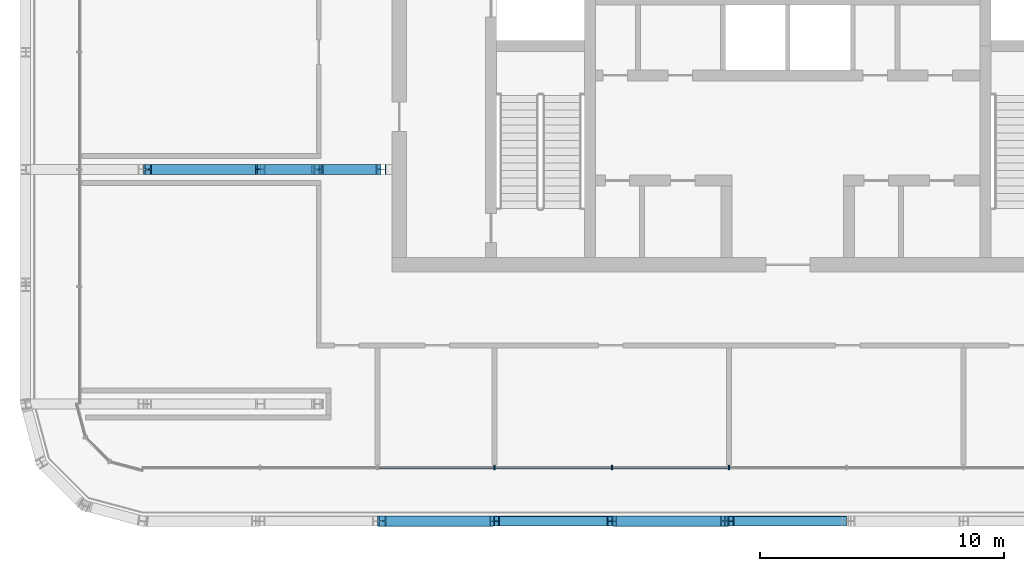
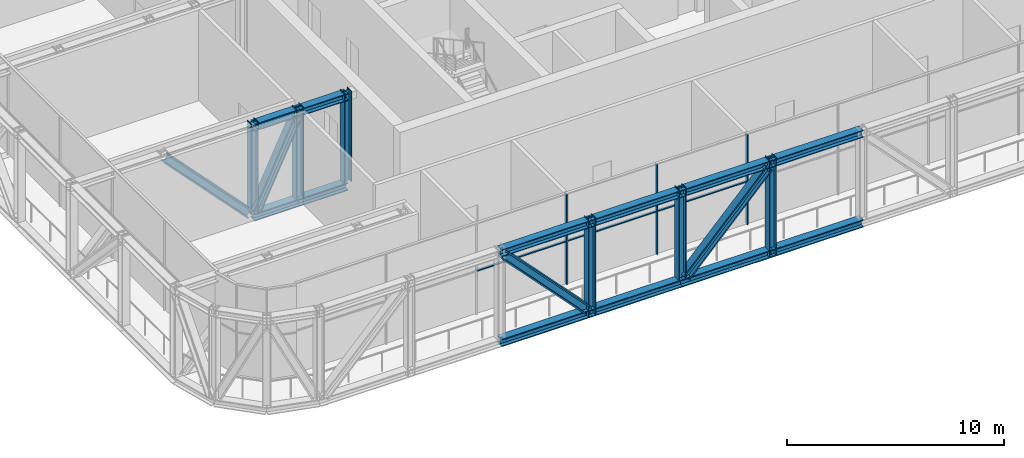
# One storey, part 2 of 26: 28 members, 1 element without a shape of its own.
"""IFC4 building model written with IfcOpenShell, lengths in metres."""

import ifcopenshell
import ifcopenshell.guid

model = None  # the IFC model being written
_history = None  # IfcOwnerHistory: only IFC2X3 demands one
_inside = {}  # id of a spatial element -> (the spatial element, [elements in it])
_under = {}  # id of a project, library or spatial element -> (it, [spatial elements below it])
_declared = {}  # id of a project -> (the project, [libraries it declares])
_typed = {}  # id of a type object -> (the type object, [elements of that type])
_made_of = {}  # id of a material, layer set ... -> (it, [elements and type objects made of it])


def new_model(schema):
    """Start an empty IFC model of exactly this schema.

    Asked for "IFC4X3", IfcOpenShell would pick the latest addendum, in which some entities
    have other attributes; the version numbers below select the first issue.
    IFC2X3 requires an IfcOwnerHistory on every rooted entity: one is made here for all.
    """
    global model, _history
    if schema == "IFC4X3":
        model = ifcopenshell.file(schema_version=(4, 3, 0, 0))
    else:
        model = ifcopenshell.file(schema=schema)
    _inside.clear()
    _under.clear()
    _declared.clear()
    _typed.clear()
    _made_of.clear()
    _history = None
    if model.schema == "IFC2X3":
        org = make("IfcOrganization", Name="unknown")
        user = make(
            "IfcPersonAndOrganization",
            ThePerson=make("IfcPerson", FamilyName="unknown"),
            TheOrganization=org,
        )
        app = make(
            "IfcApplication",
            ApplicationDeveloper=org,
            Version="unknown",
            ApplicationFullName="unknown",
            ApplicationIdentifier="unknown",
        )
        _history = make(
            "IfcOwnerHistory",
            OwningUser=user,
            OwningApplication=app,
            ChangeAction="ADDED",
            CreationDate=0,
        )
    return model


def make(cls, **values):
    """One entity of the class cls with the attributes given. An attribute that is None is left unset."""
    return model.create_entity(
        cls, **{name: value for name, value in values.items() if value is not None}
    )


def rooted(cls, **values):
    """An entity with a GlobalId (a new one), such as an element, a storey or a relation."""
    return make(cls, GlobalId=ifcopenshell.guid.new(), OwnerHistory=_history, **values)


def si_unit(unit_type, name, prefix=None):
    """IfcSIUnit, for example si_unit("LENGTHUNIT", "METRE", prefix="MILLI")."""
    return make("IfcSIUnit", UnitType=unit_type, Prefix=prefix, Name=name)


def assignment(units):
    """IfcUnitAssignment: the units of a project."""
    return None if units is None else make("IfcUnitAssignment", Units=units)


def point(xyz):
    """IfcCartesianPoint."""
    return None if xyz is None else make("IfcCartesianPoint", Coordinates=xyz)


def direction(xyz):
    """IfcDirection."""
    return None if xyz is None else make("IfcDirection", DirectionRatios=xyz)


def frame(location, z_axis=None, x_axis=None):
    """IfcAxis2Placement3D, a coordinate frame: its origin and axes. An axis left out is left unset."""
    return make(
        "IfcAxis2Placement3D",
        Location=point(location),
        Axis=direction(z_axis),
        RefDirection=direction(x_axis),
    )


def frame_2d(location, x_axis=None):
    """IfcAxis2Placement2D, a coordinate frame in the plane: its origin and x axis."""
    return make(
        "IfcAxis2Placement2D", Location=point(location), RefDirection=direction(x_axis)
    )


def origin():
    """The frame at (0, 0, 0) with its axes left unset."""
    return frame((0.0, 0.0, 0.0))


def origin_2d():
    """The frame at (0, 0) in the plane with its x axis left unset."""
    return frame_2d((0.0, 0.0))


def place(relative_to, where):
    """IfcLocalPlacement: puts the frame where relative to a parent placement (None: the world)."""
    return make(
        "IfcLocalPlacement", PlacementRelTo=relative_to, RelativePlacement=where
    )


def context(
    kind, dimensions, precision=None, world=None, true_north=None, identifier=None
):
    """IfcGeometricRepresentationContext, for example the 3D "Model" context."""
    return make(
        "IfcGeometricRepresentationContext",
        ContextIdentifier=identifier,
        ContextType=kind,
        CoordinateSpaceDimension=dimensions,
        Precision=precision,
        WorldCoordinateSystem=world,
        TrueNorth=true_north,
    )


def subcontext(parent, identifier, kind, view, scale=None):
    """IfcGeometricRepresentationSubContext, for example "Body" below "Model"."""
    return make(
        "IfcGeometricRepresentationSubContext",
        ContextIdentifier=identifier,
        ContextType=kind,
        ParentContext=parent,
        TargetScale=scale,
        TargetView=view,
    )


def project(units=None, contexts=None):
    """IfcProject with its units and contexts."""
    return rooted(
        "IfcProject",
        Name="project",
        RepresentationContexts=contexts,
        UnitsInContext=assignment(units),
    )


def spatial(cls, under=None, at=None, **own):
    """A site, building, storey or space (cls), placed at a placement, below another one or the project."""
    s = rooted(cls, ObjectPlacement=at, **own)
    if under is not None:
        _under.setdefault(under.id(), (under, []))[1].append(s)
    return s


def profile(cls, at=None, kind="AREA", **sizes):
    """A parametric profile (cls). Its sizes go by their IFC names, for example OverallWidth=200.0."""
    return make(cls, ProfileType=kind, Position=at, **sizes)


def rectangle(**sizes):
    """IfcRectangleProfileDef."""
    return profile("IfcRectangleProfileDef", **sizes)


def i_section(**sizes):
    """IfcIShapeProfileDef."""
    return profile("IfcIShapeProfileDef", **sizes)


def extrude(swept, where, along, depth):
    """IfcExtrudedAreaSolid: the profile swept, set in the frame where, extruded along a direction by depth."""
    return make(
        "IfcExtrudedAreaSolid",
        SweptArea=swept,
        Position=where,
        ExtrudedDirection=direction(along),
        Depth=depth,
    )


def shape(context_of_items, identifier, shape_type, items):
    """IfcShapeRepresentation: the items that make up one representation, for example the "Body"."""
    return make(
        "IfcShapeRepresentation",
        ContextOfItems=context_of_items,
        RepresentationIdentifier=identifier,
        RepresentationType=shape_type,
        Items=items,
    )


def material(Name=None, Category=None):
    """IfcMaterial."""
    return make("IfcMaterial", Name=Name, Category=Category)


def layer(
    of_material, thickness, ventilated=None, Name=None, Category=None, Priority=None
):
    """IfcMaterialLayer: one layer of a wall or slab, of a material (None: an air gap)."""
    return make(
        "IfcMaterialLayer",
        Material=of_material,
        LayerThickness=thickness,
        IsVentilated=ventilated,
        Name=Name,
        Category=Category,
        Priority=Priority,
    )


def layer_set(layers, Name=None):
    """IfcMaterialLayerSet."""
    return make("IfcMaterialLayerSet", MaterialLayers=layers, LayerSetName=Name)


def material_profile(
    of_material, cross_section, Name=None, Category=None, Priority=None
):
    """IfcMaterialProfile: a cross section and its material."""
    return make(
        "IfcMaterialProfile",
        Name=Name,
        Material=of_material,
        Profile=cross_section,
        Priority=Priority,
        Category=Category,
    )


def profile_set(profiles, Name=None, composite=None):
    """IfcMaterialProfileSet."""
    return make(
        "IfcMaterialProfileSet",
        Name=Name,
        MaterialProfiles=profiles,
        CompositeProfile=composite,
    )


def made_of(thing, what):
    """Note that an element or type object is made of a material, layer set ...; save() writes the relation."""
    if what is not None:
        _made_of.setdefault(what.id(), (what, []))[1].append(thing)
    return thing


def type_object(cls, material=None, **own):
    """A type object (cls), such as IfcWallType, which elements share."""
    return made_of(rooted(cls, **own), material)


def element(
    cls,
    number,
    at=None,
    inside=None,
    cuts=None,
    type_object=None,
    material=None,
    context=None,
    identifier="Body",
    shape_type=None,
    held_by="IfcProductDefinitionShape",
    body=None,
    shapes=None,
    **own,
):
    """One element of the class cls, such as IfcWall. Its Tag is "e" and its number.

    at: its placement. inside: the storey or other place that contains it. cuts: it is an
    opening in that element (IfcRelVoidsElement). A single representation is given by context,
    identifier, shape_type and body (its items); several are given by shapes. held_by: the class
    of the entity that holds the representations. save() writes the other relations.
    """
    e = rooted(cls, Tag="e%d" % number, ObjectPlacement=at, **own)
    if body is not None:
        shapes = [shape(context, identifier, shape_type, body)]
    if shapes is not None:
        e.Representation = make(held_by, Representations=shapes)
    if inside is not None:
        _inside.setdefault(inside.id(), (inside, []))[1].append(e)
    if cuts is not None:
        rooted(
            "IfcRelVoidsElement", RelatingBuildingElement=cuts, RelatedOpeningElement=e
        )
    if type_object is not None:
        _typed.setdefault(type_object.id(), (type_object, []))[1].append(e)
    return made_of(e, material)


def aggregate(whole, parts):
    """IfcRelAggregates: a whole, such as a stair, and the parts it consists of."""
    return rooted("IfcRelAggregates", RelatingObject=whole, RelatedObjects=parts)


def save(model, path):
    """Write the relations noted so far, then the file.

    IfcRelAggregates (storeys below a building ...), IfcRelContainedInSpatialStructure (elements
    in a storey), IfcRelDefinesByType, IfcRelAssociatesMaterial and IfcRelDeclares: one each for
    every whole, place, type object, material and project.
    """
    for whole, parts in _under.values():
        aggregate(whole, parts)
    for where, things in _inside.values():
        rooted(
            "IfcRelContainedInSpatialStructure",
            RelatedElements=things,
            RelatingStructure=where,
        )
    for kind, things in _typed.values():
        rooted("IfcRelDefinesByType", RelatedObjects=things, RelatingType=kind)
    for what, things in _made_of.values():
        rooted("IfcRelAssociatesMaterial", RelatedObjects=things, RelatingMaterial=what)
    for by, libraries in _declared.values():
        rooted("IfcRelDeclares", RelatingContext=by, RelatedDefinitions=libraries)
    model.write(path)


model = new_model("IFC4")

# Units and contexts
model_context = context("Model", 3, precision=1e-05, world=origin(), true_north=direction((0.0, 1.0)))
body_context = subcontext(model_context, "Body", "Model", "MODEL_VIEW")
ifc_project = project(units=[si_unit("LENGTHUNIT", "METRE"), si_unit("AREAUNIT", "SQUARE_METRE"), si_unit("VOLUMEUNIT", "CUBIC_METRE"), si_unit("PLANEANGLEUNIT", "RADIAN"), si_unit("MASSUNIT", "GRAM", prefix="KILO")], contexts=[model_context])

# Site, building, storey
site_placement = place(None, origin())
site = spatial("IfcSite", under=ifc_project, at=site_placement, CompositionType="ELEMENT")
building_placement = place(site_placement, origin())
building = spatial("IfcBuilding", under=site, at=building_placement, Name="Madar Terraces", CompositionType="ELEMENT")
storey_placement = place(building_placement, frame((0.0, 0.0, 233.300048828125)))
storey = spatial("IfcBuildingStorey", under=building, at=storey_placement, Name="L61", CompositionType="ELEMENT", Elevation=233.300048828125)

# Members
ifc_material_1 = material(Name="Steel ASTM A992 Grade 50", Category="steel")
ifc_material_profile_1 = material_profile(ifc_material_1, i_section(OverallWidth=0.408935546875, OverallDepth=0.424072265625, WebThickness=0.03271484375, FlangeThickness=0.052490234375, at=origin_2d()), Name="W14x283")
ifc_profile_set_1 = profile_set([ifc_material_profile_1], Name="Steel ASTM A992 Grade 50")
member_type_1 = type_object("IfcMemberType", Name="BC8 W14x283", PredefinedType="CHORD", material=ifc_profile_set_1)
for number, where, z_axis, x_axis, name in (
    (1, (14.39990234375, 4.800048828125, -0.2080078125), (1.0, 0.0, 0.0), (0.0, 1.0, 0.0), "Exoskeleton truss ring bottom chord BC8"),
    (2, (19.199951171875, 4.800048828125, -0.2080078125), (1.0, 0.0, 0.0), (0.0, 1.0, 0.0), "Exoskeleton truss ring bottom chord BC8"),
    (3, (24.0, 4.800048828125, -0.2080078125), (1.0, 0.0, 0.0), (0.0, 1.0, 0.0), "Exoskeleton truss ring bottom chord BC8"),
    (4, (28.800048828125, 4.800048828125, -0.2080078125), (1.0, 0.0, 0.0), (0.0, 1.0, 0.0), "Exoskeleton truss ring bottom chord BC8"),
):
    element("IfcMember", number, at=place(storey_placement, frame(where, z_axis=z_axis, x_axis=x_axis)), inside=storey, type_object=member_type_1, Name=name, PredefinedType="CHORD", context=body_context, shape_type="SweptSolid", body=[
        extrude(i_section(OverallWidth=0.408935546875, OverallDepth=0.424072265625, WebThickness=0.03271484375, FlangeThickness=0.052490234375, at=origin_2d()), origin(), (0.0, 0.0, 1.0), 4.800048828125),
    ])
member_1_placement = place(storey_placement, frame((9.60009765625, 19.199951171875, -0.2080078125), z_axis=(1.0, 0.0, 0.0), x_axis=(0.0, 1.0, 0.0)))
element("IfcMember", 5, at=member_1_placement, inside=storey, type_object=member_type_1, Name="Exoskeleton truss cross W19.2 bottom chord BC8", PredefinedType="CHORD", context=body_context, shape_type="SweptSolid", body=[
    extrude(i_section(OverallWidth=0.408935546875, OverallDepth=0.424072265625, WebThickness=0.03271484375, FlangeThickness=0.052490234375, at=origin_2d()), origin(), (0.0, 0.0, 1.0), 2.39990234375),
])
member_2_placement = place(storey_placement, frame((12.0, 19.199951171875, -0.2080078125), z_axis=(1.0, 0.0, 0.0), x_axis=(0.0, 1.0, 0.0)))
element("IfcMember", 6, at=member_2_placement, inside=storey, type_object=member_type_1, Name="Exoskeleton truss cross W19.2 bottom chord BC8", PredefinedType="CHORD", context=body_context, shape_type="SweptSolid", body=[
    extrude(i_section(OverallWidth=0.408935546875, OverallDepth=0.424072265625, WebThickness=0.03271484375, FlangeThickness=0.052490234375, at=origin_2d()), origin(), (0.0, 0.0, 1.0), 2.550048828125),
])

# Curtain wall, members
ifc_material_2 = material(Name="Glass, ceramic frit dark grey, with black aluminium frame", Category="aluminium")
ifc_layer = layer(ifc_material_2, 0.199951171875)
ifc_layer_set = layer_set([ifc_layer], Name="Facade curtain wall, tall glazing")
curtain_wall_type = type_object("IfcCurtainWallType", Name="Facade curtain wall, tall glazing", PredefinedType="NOTDEFINED", material=ifc_layer_set)
curtain_wall_placement = place(storey_placement, origin())
curtain_wall = element("IfcCurtainWall", 7, at=curtain_wall_placement, inside=storey, type_object=curtain_wall_type, Name="Outer skin curtain wall south bay 1", PredefinedType="NOTDEFINED")
ifc_material_3 = material(Name="Aluminium, black anodised", Category="aluminium")
ifc_material_profile_2 = material_profile(ifc_material_3, rectangle(XDim=0.199951171875, YDim=0.06005859375, at=origin_2d()), Name="Facade mullion 60x200")
ifc_profile_set_2 = profile_set([ifc_material_profile_2], Name="Aluminium, black anodised")
member_type_2 = type_object("IfcMemberType", Name="Facade mullion 60x200", PredefinedType="MULLION", material=ifc_profile_set_2)
member_3_placement = place(storey_placement, frame((19.199951171875, 7.0, 0.0), z_axis=(0.0, 0.0, 1.0), x_axis=(0.0, 1.0, 0.0)))
member_3 = element("IfcMember", 8, at=member_3_placement, type_object=member_type_2, Name="Mullion 3", PredefinedType="MULLION", context=body_context, shape_type="SweptSolid", body=[
    extrude(rectangle(XDim=0.199951171875, YDim=0.06005859375, at=origin_2d()), origin(), (0.0, 0.0, 1.0), 5.0400390625),
])
member_4_placement = place(storey_placement, frame((24.0, 7.0, 0.0), z_axis=(0.0, 0.0, 1.0), x_axis=(0.0, 1.0, 0.0)))
member_4 = element("IfcMember", 9, at=member_4_placement, type_object=member_type_2, Name="Mullion 4", PredefinedType="MULLION", context=body_context, shape_type="SweptSolid", body=[
    extrude(rectangle(XDim=0.199951171875, YDim=0.06005859375, at=origin_2d()), origin(), (0.0, 0.0, 1.0), 5.0400390625),
])
member_5_placement = place(storey_placement, frame((28.800048828125, 7.0, 0.0), z_axis=(0.0, 0.0, 1.0), x_axis=(0.0, 1.0, 0.0)))
member_5 = element("IfcMember", 10, at=member_5_placement, type_object=member_type_2, Name="Mullion 5", PredefinedType="MULLION", context=body_context, shape_type="SweptSolid", body=[
    extrude(rectangle(XDim=0.199951171875, YDim=0.06005859375, at=origin_2d()), origin(), (0.0, 0.0, 1.0), 5.0400390625),
])
ifc_material_4 = material(Name="Aluminium, black anodised", Category="aluminium")
ifc_material_profile_3 = material_profile(ifc_material_4, rectangle(XDim=0.1201171875, YDim=0.06005859375, at=origin_2d()), Name="Facade transom 60x120")
ifc_profile_set_3 = profile_set([ifc_material_profile_3], Name="Aluminium, black anodised")
member_type_3 = type_object("IfcMemberType", Name="Facade transom 60x120", PredefinedType="USERDEFINED", material=ifc_profile_set_3)
member_6_placement = place(storey_placement, frame((14.429931640625, 7.0, 2.39990234375), z_axis=(1.0, 0.0, 0.0), x_axis=(0.0, 1.0, 0.0)))
member_6 = element("IfcMember", 11, at=member_6_placement, type_object=member_type_3, Name="Transom 4", ObjectType="TRANSOM", PredefinedType="USERDEFINED", context=body_context, shape_type="SweptSolid", body=[
    extrude(rectangle(XDim=0.1201171875, YDim=0.06005859375, at=origin_2d()), origin(), (0.0, 0.0, 1.0), 4.739990234375),
])
member_7_placement = place(storey_placement, frame((19.22998046875, 7.0, 2.39990234375), z_axis=(1.0, 0.0, 0.0), x_axis=(0.0, 1.0, 0.0)))
member_7 = element("IfcMember", 12, at=member_7_placement, type_object=member_type_3, Name="Transom 5", ObjectType="TRANSOM", PredefinedType="USERDEFINED", context=body_context, shape_type="SweptSolid", body=[
    extrude(rectangle(XDim=0.1201171875, YDim=0.06005859375, at=origin_2d()), origin(), (0.0, 0.0, 1.0), 4.739990234375),
])
member_8_placement = place(storey_placement, frame((24.030029296875, 7.0, 2.39990234375), z_axis=(1.0, 0.0, 0.0), x_axis=(0.0, 1.0, 0.0)))
member_8 = element("IfcMember", 13, at=member_8_placement, type_object=member_type_3, Name="Transom 6", ObjectType="TRANSOM", PredefinedType="USERDEFINED", context=body_context, shape_type="SweptSolid", body=[
    extrude(rectangle(XDim=0.1201171875, YDim=0.06005859375, at=origin_2d()), origin(), (0.0, 0.0, 1.0), 4.739990234375),
])
aggregate(curtain_wall, [member_3, member_4, member_5, member_6, member_7, member_8])

# Members
ifc_material_5 = material(Name="Steel ASTM A992 Grade 50", Category="steel")
ifc_material_profile_4 = material_profile(ifc_material_5, i_section(OverallWidth=0.40380859375, OverallDepth=0.406494140625, WebThickness=0.027099609375, FlangeThickness=0.043701171875, at=origin_2d()), Name="W14x233")
ifc_profile_set_4 = profile_set([ifc_material_profile_4], Name="Steel ASTM A992 Grade 50")
member_type_4 = type_object("IfcMemberType", Name="TC8 W14x233", PredefinedType="CHORD", material=ifc_profile_set_4)
for number, where, z_axis, x_axis, name in (
    (14, (14.39990234375, 4.800048828125, 4.82666015625), (1.0, 0.0, 0.0), (0.0, 1.0, 0.0), "Exoskeleton truss ring top chord TC8"),
    (15, (19.199951171875, 4.800048828125, 4.82666015625), (1.0, 0.0, 0.0), (0.0, 1.0, 0.0), "Exoskeleton truss ring top chord TC8"),
    (16, (24.0, 4.800048828125, 4.82666015625), (1.0, 0.0, 0.0), (0.0, 1.0, 0.0), "Exoskeleton truss ring top chord TC8"),
    (17, (28.800048828125, 4.800048828125, 4.82666015625), (1.0, 0.0, 0.0), (0.0, 1.0, 0.0), "Exoskeleton truss ring top chord TC8"),
):
    element("IfcMember", number, at=place(storey_placement, frame(where, z_axis=z_axis, x_axis=x_axis)), inside=storey, type_object=member_type_4, Name=name, PredefinedType="CHORD", context=body_context, shape_type="SweptSolid", body=[
        extrude(i_section(OverallWidth=0.40380859375, OverallDepth=0.406494140625, WebThickness=0.027099609375, FlangeThickness=0.043701171875, at=origin_2d()), origin(), (0.0, 0.0, 1.0), 4.800048828125),
    ])
member_9_placement = place(storey_placement, frame((9.60009765625, 19.199951171875, 4.82666015625), z_axis=(1.0, 0.0, 0.0), x_axis=(0.0, 1.0, 0.0)))
element("IfcMember", 18, at=member_9_placement, inside=storey, type_object=member_type_4, Name="Exoskeleton truss cross W19.2 top chord TC8", PredefinedType="CHORD", context=body_context, shape_type="SweptSolid", body=[
    extrude(i_section(OverallWidth=0.40380859375, OverallDepth=0.406494140625, WebThickness=0.027099609375, FlangeThickness=0.043701171875, at=origin_2d()), origin(), (0.0, 0.0, 1.0), 2.39990234375),
])
member_10_placement = place(storey_placement, frame((12.0, 19.199951171875, 4.82666015625), z_axis=(1.0, 0.0, 0.0), x_axis=(0.0, 1.0, 0.0)))
element("IfcMember", 19, at=member_10_placement, inside=storey, type_object=member_type_4, Name="Exoskeleton truss cross W19.2 top chord TC8", PredefinedType="CHORD", context=body_context, shape_type="SweptSolid", body=[
    extrude(i_section(OverallWidth=0.40380859375, OverallDepth=0.406494140625, WebThickness=0.027099609375, FlangeThickness=0.043701171875, at=origin_2d()), origin(), (0.0, 0.0, 1.0), 2.550048828125),
])
ifc_material_6 = material(Name="Steel ASTM A992 Grade 50", Category="steel")
ifc_material_profile_5 = material_profile(ifc_material_6, i_section(OverallWidth=0.419189453125, OverallDepth=0.45458984375, WebThickness=0.042236328125, FlangeThickness=0.067626953125, at=origin_2d()), Name="W14x370")
ifc_profile_set_5 = profile_set([ifc_material_profile_5], Name="Steel ASTM A992 Grade 50")
member_type_5 = type_object("IfcMemberType", Name="TD8 W14x370", PredefinedType="BRACE", material=ifc_profile_set_5)
for number, where, z_axis, x_axis, name in (
    (20, (14.59375, 4.800048828125, 4.62353515625), (0.690036191516, 0.0, -0.723774864442), (0.0, 1.0, 0.0), "Exoskeleton truss ring diagonal TD8"),
    (21, (24.2021484375, 4.800048828125, 0.004150390625), (0.690036191516, 0.0, 0.723774864442), (0.0, 1.0, 0.0), "Exoskeleton truss ring diagonal TD8"),
    (22, (4.99365234375, 19.199951171875, 4.62353515625), (0.690036191516, 0.0, -0.723774864442), (0.0, 1.0, 0.0), "Exoskeleton truss cross W19.2 diagonal TD8"),
):
    element("IfcMember", number, at=place(storey_placement, frame(where, z_axis=z_axis, x_axis=x_axis)), inside=storey, type_object=member_type_5, Name=name, PredefinedType="BRACE", context=body_context, shape_type="SweptSolid", body=[
        extrude(i_section(OverallWidth=0.419189453125, OverallDepth=0.45458984375, WebThickness=0.042236328125, FlangeThickness=0.067626953125, at=origin_2d()), origin(), (0.0, 0.0, 1.0), 6.38232421875),
    ])
member_11_placement = place(storey_placement, frame((9.701171875, 19.199951171875, 0.004150390625), z_axis=(0.430283557881, 0.0, 0.902693779649), x_axis=(0.0, 1.0, 0.0)))
element("IfcMember", 23, at=member_11_placement, inside=storey, type_object=member_type_5, Name="Exoskeleton truss cross W19.2 diagonal TD8", PredefinedType="BRACE", context=body_context, shape_type="SweptSolid", body=[
    extrude(i_section(OverallWidth=0.419189453125, OverallDepth=0.45458984375, WebThickness=0.042236328125, FlangeThickness=0.067626953125, at=origin_2d()), origin(), (0.0, 0.0, 1.0), 5.117431640625),
])
ifc_material_7 = material(Name="Steel ASTM A992 Grade 50", Category="steel")
ifc_material_profile_6 = material_profile(ifc_material_7, i_section(OverallWidth=0.398681640625, OverallDepth=0.393798828125, WebThickness=0.022705078125, FlangeThickness=0.03662109375, at=origin_2d()), Name="W14x193")
ifc_profile_set_6 = profile_set([ifc_material_profile_6], Name="Steel ASTM A992 Grade 50")
member_type_6 = type_object("IfcMemberType", Name="TV8 W14x193", PredefinedType="POST", material=ifc_profile_set_6)
member_12_placement = place(storey_placement, frame((19.199951171875, 4.800048828125, -0.420166015625), z_axis=(0.0, 0.0, 1.0), x_axis=(0.0, 1.0, 0.0)))
element("IfcMember", 24, at=member_12_placement, inside=storey, type_object=member_type_6, Name="Exoskeleton truss ring post TV8", PredefinedType="POST", context=body_context, shape_type="SweptSolid", body=[
    extrude(i_section(OverallWidth=0.398681640625, OverallDepth=0.393798828125, WebThickness=0.022705078125, FlangeThickness=0.03662109375, at=origin_2d()), origin(), (0.0, 0.0, 1.0), 5.52001953125),
])
member_13_placement = place(storey_placement, frame((24.0, 4.800048828125, 0.004150390625), z_axis=(0.0, 0.0, 1.0), x_axis=(0.0, 1.0, 0.0)))
element("IfcMember", 25, at=member_13_placement, inside=storey, type_object=member_type_6, Name="Exoskeleton truss ring post TV8", PredefinedType="POST", context=body_context, shape_type="SweptSolid", body=[
    extrude(i_section(OverallWidth=0.398681640625, OverallDepth=0.393798828125, WebThickness=0.022705078125, FlangeThickness=0.03662109375, at=origin_2d()), origin(), (0.0, 0.0, 1.0), 5.095703125),
])
member_14_placement = place(storey_placement, frame((28.800048828125, 4.800048828125, -0.420166015625), z_axis=(0.0, 0.0, 1.0), x_axis=(0.0, 1.0, 0.0)))
element("IfcMember", 26, at=member_14_placement, inside=storey, type_object=member_type_6, Name="Exoskeleton truss ring post TV8", PredefinedType="POST", context=body_context, shape_type="SweptSolid", body=[
    extrude(i_section(OverallWidth=0.398681640625, OverallDepth=0.393798828125, WebThickness=0.022705078125, FlangeThickness=0.03662109375, at=origin_2d()), origin(), (0.0, 0.0, 1.0), 5.52001953125),
])
for number, where, z_axis, x_axis, name in (
    (27, (9.60009765625, 19.199951171875, 0.004150390625), (0.0, 0.0, 1.0), (0.0, 1.0, 0.0), "Exoskeleton truss cross W19.2 post TV8"),
    (28, (12.0, 19.199951171875, 0.004150390625), (0.0, 0.0, 1.0), (0.0, 1.0, 0.0), "Exoskeleton truss cross W19.2 post TV8"),
    (29, (14.550048828125, 19.199951171875, 0.004150390625), (0.0, 0.0, 1.0), (0.0, 1.0, 0.0), "Exoskeleton truss cross W19.2 post TV8"),
):
    element("IfcMember", number, at=place(storey_placement, frame(where, z_axis=z_axis, x_axis=x_axis)), inside=storey, type_object=member_type_6, Name=name, PredefinedType="POST", context=body_context, shape_type="SweptSolid", body=[
        extrude(i_section(OverallWidth=0.398681640625, OverallDepth=0.393798828125, WebThickness=0.022705078125, FlangeThickness=0.03662109375, at=origin_2d()), origin(), (0.0, 0.0, 1.0), 5.095703125),
    ])

save(model, "model.ifc")
